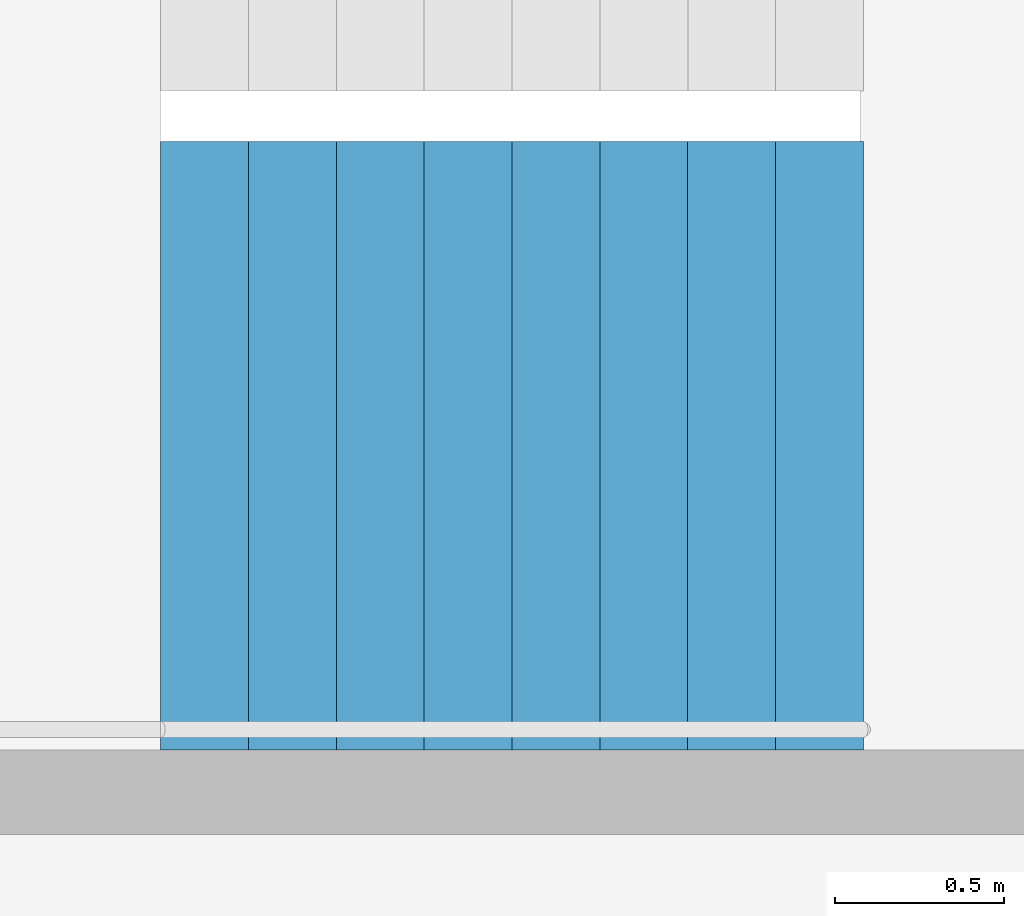
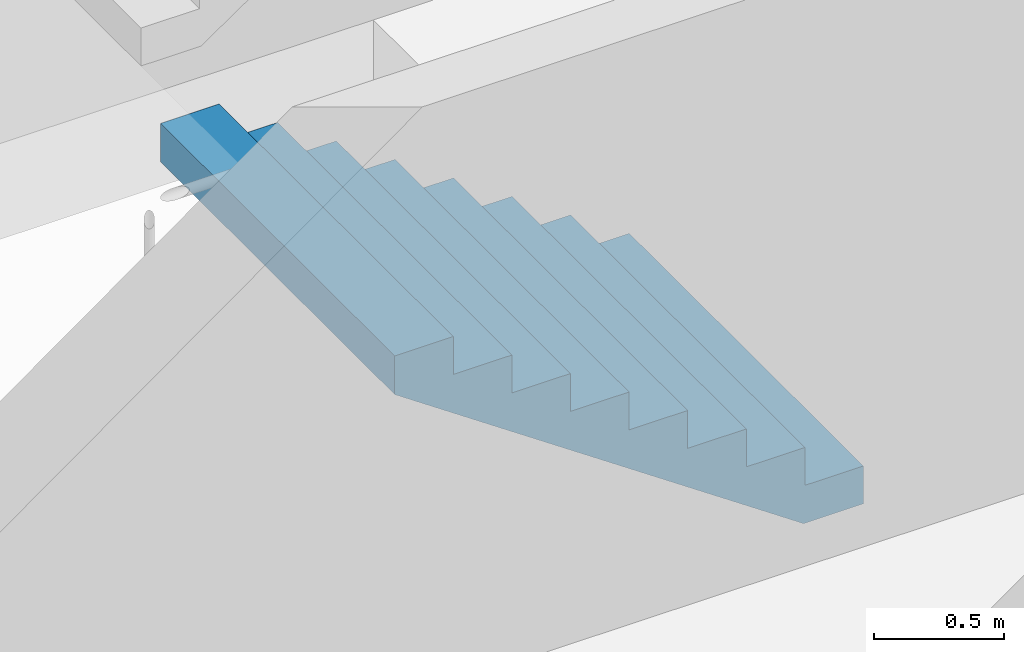
# One storey, part 24 of 26: 1 stair flight, 1 element without a shape of its own.
"""IFC4 building model written with IfcOpenShell, lengths in metres."""

from ifc_helpers import new_model, si_unit, direction, frame, origin, place, context, subcontext, project, spatial, triangles, material, type_object, element, aggregate, save


model = new_model("IFC4")

# Units and contexts
model_context = context("Model", 3, precision=1e-05, world=origin(), true_north=direction((0.0, 1.0)))
body_context = subcontext(model_context, "Body", "Model", "MODEL_VIEW")
ifc_project = project(units=[si_unit("LENGTHUNIT", "METRE"), si_unit("AREAUNIT", "SQUARE_METRE"), si_unit("VOLUMEUNIT", "CUBIC_METRE"), si_unit("PLANEANGLEUNIT", "RADIAN"), si_unit("MASSUNIT", "GRAM", prefix="KILO")], contexts=[model_context])

# Site, building, storey
site_placement = place(None, origin())
site = spatial("IfcSite", under=ifc_project, at=site_placement, CompositionType="ELEMENT")
building_placement = place(site_placement, origin())
building = spatial("IfcBuilding", under=site, at=building_placement, Name="Hakoniwa Tower and Hamabe Station Hall", CompositionType="ELEMENT")
storey_placement = place(building_placement, frame((0.0, 0.0, 196.199951171875)))
storey = spatial("IfcBuildingStorey", under=building, at=storey_placement, Name="L55", CompositionType="ELEMENT", Elevation=196.199951171875)

# Stair, stair flight
ifc_material_1 = material(Name="Concrete C40", Category="concrete")
stair_type = type_object("IfcStairType", Name="ESCAPE STAIR 1800", PredefinedType="HALF_TURN_STAIR", material=ifc_material_1)
stair_placement = place(storey_placement, origin())
stair = element("IfcStair", 1, at=stair_placement, inside=storey, type_object=stair_type, Name="Escape stair ST-3 L55", PredefinedType="HALF_TURN_STAIR")
ifc_material_2 = material(Name="Concrete C40", Category="concrete")
stair_flight_type = type_object("IfcStairFlightType", Name="STAIR FLIGHT 1800", PredefinedType="STRAIGHT", material=ifc_material_2)
stair_flight_placement = place(storey_placement, frame((24.39990234375, 4.64990234375, 0.0), z_axis=(0.0, 0.0, 1.0), x_axis=(-1.0, 0.0, 0.0)))
stair_flight = element("IfcStairFlight", 2, at=stair_flight_placement, type_object=stair_flight_type, Name="ST-3 flight 1", NumberOfRisers=9, NumberOfTreads=8, PredefinedType="STRAIGHT", RiserHeight=0.177777778, TreadLength=0.26, context=body_context, shape_type="Tessellation", body=[
    triangles([(0.0, 0.89990234375, 0.0), (0.260009765625, 0.89990234375, 0.0), (0.265625, 0.89990234375, 0.0), (0.52001953125, 0.89990234375, 0.174072265625), (0.780029296875, 0.89990234375, 0.351806640625), (1.0400390625, 0.89990234375, 0.529541015625), (1.300048828125, 0.89990234375, 0.707275390625), (1.56005859375, 0.89990234375, 0.885009765625), (1.820068359375, 0.89990234375, 1.062744140625), (2.080078125, 0.89990234375, 1.24072265625), (2.080078125, 0.89990234375, 1.422119140625), (1.820068359375, 0.89990234375, 1.422119140625), (1.820068359375, 0.89990234375, 1.244384765625), (1.56005859375, 0.89990234375, 1.244384765625), (1.56005859375, 0.89990234375, 1.066650390625), (1.300048828125, 0.89990234375, 1.066650390625), (1.300048828125, 0.89990234375, 0.888916015625), (1.0400390625, 0.89990234375, 0.888916015625), (1.0400390625, 0.89990234375, 0.711181640625), (0.780029296875, 0.89990234375, 0.711181640625), (0.780029296875, 0.89990234375, 0.533447265625), (0.52001953125, 0.89990234375, 0.533447265625), (0.52001953125, 0.89990234375, 0.35546875), (0.265625, 0.89990234375, 0.35546875), (0.260009765625, 0.89990234375, 0.35546875), (0.260009765625, 0.89990234375, 0.177734375), (0.0, 0.89990234375, 0.177734375), (0.0, 0.06005859375, 0.0), (0.260009765625, 0.06005859375, 0.0), (0.265625, 0.06005859375, 0.0), (0.52001953125, 0.06005859375, 0.174072265625), (0.780029296875, 0.06005859375, 0.351806640625), (1.0400390625, 0.06005859375, 0.529541015625), (1.300048828125, 0.06005859375, 0.707275390625), (1.56005859375, 0.06005859375, 0.885009765625), (1.820068359375, 0.06005859375, 1.062744140625), (2.080078125, 0.06005859375, 1.24072265625), (2.080078125, 0.06005859375, 1.422119140625), (1.820068359375, 0.06005859375, 1.422119140625), (1.820068359375, 0.06005859375, 1.244384765625), (1.56005859375, 0.06005859375, 1.244384765625), (1.56005859375, 0.06005859375, 1.066650390625), (1.300048828125, 0.06005859375, 1.066650390625), (1.300048828125, 0.06005859375, 0.888916015625), (1.0400390625, 0.06005859375, 0.888916015625), (1.0400390625, 0.06005859375, 0.711181640625), (0.780029296875, 0.06005859375, 0.711181640625), (0.780029296875, 0.06005859375, 0.533447265625), (0.52001953125, 0.06005859375, 0.533447265625), (0.52001953125, 0.06005859375, 0.35546875), (0.265625, 0.06005859375, 0.35546875), (0.260009765625, 0.06005859375, 0.35546875), (0.260009765625, 0.06005859375, 0.177734375), (0.0, 0.06005859375, 0.177734375), (0.0, 0.04296875, 0.0), (0.260009765625, 0.04296875, 0.0), (0.265625, 0.04296875, 0.0), (0.52001953125, 0.04296875, 0.174072265625), (0.780029296875, 0.04296875, 0.351806640625), (1.0400390625, 0.04296875, 0.529541015625), (1.300048828125, 0.04296875, 0.707275390625), (1.56005859375, 0.04296875, 0.885009765625), (1.820068359375, 0.04296875, 1.062744140625), (2.080078125, 0.04296875, 1.24072265625), (2.080078125, 0.04296875, 1.422119140625), (1.820068359375, 0.04296875, 1.422119140625), (1.820068359375, 0.04296875, 1.244384765625), (1.56005859375, 0.04296875, 1.244384765625), (1.56005859375, 0.04296875, 1.066650390625), (1.300048828125, 0.04296875, 1.066650390625), (1.300048828125, 0.04296875, 0.888916015625), (1.0400390625, 0.04296875, 0.888916015625), (1.0400390625, 0.04296875, 0.711181640625), (0.780029296875, 0.04296875, 0.711181640625), (0.780029296875, 0.04296875, 0.533447265625), (0.52001953125, 0.04296875, 0.533447265625), (0.52001953125, 0.04296875, 0.35546875), (0.265625, 0.04296875, 0.35546875), (0.260009765625, 0.04296875, 0.35546875), (0.260009765625, 0.04296875, 0.177734375), (0.0, 0.04296875, 0.177734375), (0.0, 0.025634765625, 0.0), (0.260009765625, 0.025634765625, 0.0), (0.265625, 0.025634765625, 0.0), (0.52001953125, 0.025634765625, 0.174072265625), (0.780029296875, 0.025634765625, 0.351806640625), (1.0400390625, 0.025634765625, 0.529541015625), (1.300048828125, 0.025634765625, 0.707275390625), (1.56005859375, 0.025634765625, 0.885009765625), (1.820068359375, 0.025634765625, 1.062744140625), (2.080078125, 0.025634765625, 1.24072265625), (2.080078125, 0.025634765625, 1.422119140625), (1.820068359375, 0.025634765625, 1.422119140625), (1.820068359375, 0.025634765625, 1.244384765625), (1.56005859375, 0.025634765625, 1.244384765625), (1.56005859375, 0.025634765625, 1.066650390625), (1.300048828125, 0.025634765625, 1.066650390625), (1.300048828125, 0.025634765625, 0.888916015625), (1.0400390625, 0.025634765625, 0.888916015625), (1.0400390625, 0.025634765625, 0.711181640625), (0.780029296875, 0.025634765625, 0.711181640625), (0.780029296875, 0.025634765625, 0.533447265625), (0.52001953125, 0.025634765625, 0.533447265625), (0.52001953125, 0.025634765625, 0.35546875), (0.265625, 0.025634765625, 0.35546875), (0.260009765625, 0.025634765625, 0.35546875), (0.260009765625, 0.025634765625, 0.177734375), (0.0, 0.025634765625, 0.177734375), (0.0, 0.008544921875, 0.0), (0.260009765625, 0.008544921875, 0.0), (0.265625, 0.008544921875, 0.0), (0.52001953125, 0.008544921875, 0.174072265625), (0.780029296875, 0.008544921875, 0.351806640625), (1.0400390625, 0.008544921875, 0.529541015625), (1.300048828125, 0.008544921875, 0.707275390625), (1.56005859375, 0.008544921875, 0.885009765625), (1.820068359375, 0.008544921875, 1.062744140625), (2.080078125, 0.008544921875, 1.24072265625), (2.080078125, 0.008544921875, 1.422119140625), (1.820068359375, 0.008544921875, 1.422119140625), (1.820068359375, 0.008544921875, 1.244384765625), (1.56005859375, 0.008544921875, 1.244384765625), (1.56005859375, 0.008544921875, 1.066650390625), (1.300048828125, 0.008544921875, 1.066650390625), (1.300048828125, 0.008544921875, 0.888916015625), (1.0400390625, 0.008544921875, 0.888916015625), (1.0400390625, 0.008544921875, 0.711181640625), (0.780029296875, 0.008544921875, 0.711181640625), (0.780029296875, 0.008544921875, 0.533447265625), (0.52001953125, 0.008544921875, 0.533447265625), (0.52001953125, 0.008544921875, 0.35546875), (0.265625, 0.008544921875, 0.35546875), (0.260009765625, 0.008544921875, 0.35546875), (0.260009765625, 0.008544921875, 0.177734375), (0.0, 0.008544921875, 0.177734375), (0.0, -0.008544921875, 0.0), (0.260009765625, -0.008544921875, 0.0), (0.265625, -0.008544921875, 0.0), (0.52001953125, -0.008544921875, 0.174072265625), (0.780029296875, -0.008544921875, 0.351806640625), (1.0400390625, -0.008544921875, 0.529541015625), (1.300048828125, -0.008544921875, 0.707275390625), (1.56005859375, -0.008544921875, 0.885009765625), (1.820068359375, -0.008544921875, 1.062744140625), (2.080078125, -0.008544921875, 1.24072265625), (2.080078125, -0.008544921875, 1.422119140625), (1.820068359375, -0.008544921875, 1.422119140625), (1.820068359375, -0.008544921875, 1.244384765625), (1.56005859375, -0.008544921875, 1.244384765625), (1.56005859375, -0.008544921875, 1.066650390625), (1.300048828125, -0.008544921875, 1.066650390625), (1.300048828125, -0.008544921875, 0.888916015625), (1.0400390625, -0.008544921875, 0.888916015625), (1.0400390625, -0.008544921875, 0.711181640625), (0.780029296875, -0.008544921875, 0.711181640625), (0.780029296875, -0.008544921875, 0.533447265625), (0.52001953125, -0.008544921875, 0.533447265625), (0.52001953125, -0.008544921875, 0.35546875), (0.265625, -0.008544921875, 0.35546875), (0.260009765625, -0.008544921875, 0.35546875), (0.260009765625, -0.008544921875, 0.177734375), (0.0, -0.008544921875, 0.177734375), (0.0, -0.025634765625, 0.0), (0.260009765625, -0.025634765625, 0.0), (0.265625, -0.025634765625, 0.0), (0.52001953125, -0.025634765625, 0.174072265625), (0.780029296875, -0.025634765625, 0.351806640625), (1.0400390625, -0.025634765625, 0.529541015625), (1.300048828125, -0.025634765625, 0.707275390625), (1.56005859375, -0.025634765625, 0.885009765625), (1.820068359375, -0.025634765625, 1.062744140625), (2.080078125, -0.025634765625, 1.24072265625), (2.080078125, -0.025634765625, 1.422119140625), (1.820068359375, -0.025634765625, 1.422119140625), (1.820068359375, -0.025634765625, 1.244384765625), (1.56005859375, -0.025634765625, 1.244384765625), (1.56005859375, -0.025634765625, 1.066650390625), (1.300048828125, -0.025634765625, 1.066650390625), (1.300048828125, -0.025634765625, 0.888916015625), (1.0400390625, -0.025634765625, 0.888916015625), (1.0400390625, -0.025634765625, 0.711181640625), (0.780029296875, -0.025634765625, 0.711181640625), (0.780029296875, -0.025634765625, 0.533447265625), (0.52001953125, -0.025634765625, 0.533447265625), (0.52001953125, -0.025634765625, 0.35546875), (0.265625, -0.025634765625, 0.35546875), (0.260009765625, -0.025634765625, 0.35546875), (0.260009765625, -0.025634765625, 0.177734375), (0.0, -0.025634765625, 0.177734375), (0.0, -0.04296875, 0.0), (0.260009765625, -0.04296875, 0.0), (0.265625, -0.04296875, 0.0), (0.52001953125, -0.04296875, 0.174072265625), (0.780029296875, -0.04296875, 0.351806640625), (1.0400390625, -0.04296875, 0.529541015625), (1.300048828125, -0.04296875, 0.707275390625), (1.56005859375, -0.04296875, 0.885009765625), (1.820068359375, -0.04296875, 1.062744140625), (2.080078125, -0.04296875, 1.24072265625), (2.080078125, -0.04296875, 1.422119140625), (1.820068359375, -0.04296875, 1.422119140625), (1.820068359375, -0.04296875, 1.244384765625), (1.56005859375, -0.04296875, 1.244384765625), (1.56005859375, -0.04296875, 1.066650390625), (1.300048828125, -0.04296875, 1.066650390625), (1.300048828125, -0.04296875, 0.888916015625), (1.0400390625, -0.04296875, 0.888916015625), (1.0400390625, -0.04296875, 0.711181640625), (0.780029296875, -0.04296875, 0.711181640625), (0.780029296875, -0.04296875, 0.533447265625), (0.52001953125, -0.04296875, 0.533447265625), (0.52001953125, -0.04296875, 0.35546875), (0.265625, -0.04296875, 0.35546875), (0.260009765625, -0.04296875, 0.35546875), (0.260009765625, -0.04296875, 0.177734375), (0.0, -0.04296875, 0.177734375), (0.0, -0.06005859375, 0.0), (0.260009765625, -0.06005859375, 0.0), (0.265625, -0.06005859375, 0.0), (0.52001953125, -0.06005859375, 0.174072265625), (0.780029296875, -0.06005859375, 0.351806640625), (1.0400390625, -0.06005859375, 0.529541015625), (1.300048828125, -0.06005859375, 0.707275390625), (1.56005859375, -0.06005859375, 0.885009765625), (1.820068359375, -0.06005859375, 1.062744140625), (2.080078125, -0.06005859375, 1.24072265625), (2.080078125, -0.06005859375, 1.422119140625), (1.820068359375, -0.06005859375, 1.422119140625), (1.820068359375, -0.06005859375, 1.244384765625), (1.56005859375, -0.06005859375, 1.244384765625), (1.56005859375, -0.06005859375, 1.066650390625), (1.300048828125, -0.06005859375, 1.066650390625), (1.300048828125, -0.06005859375, 0.888916015625), (1.0400390625, -0.06005859375, 0.888916015625), (1.0400390625, -0.06005859375, 0.711181640625), (0.780029296875, -0.06005859375, 0.711181640625), (0.780029296875, -0.06005859375, 0.533447265625), (0.52001953125, -0.06005859375, 0.533447265625), (0.52001953125, -0.06005859375, 0.35546875), (0.265625, -0.06005859375, 0.35546875), (0.260009765625, -0.06005859375, 0.35546875), (0.260009765625, -0.06005859375, 0.177734375), (0.0, -0.06005859375, 0.177734375), (0.0, -0.89990234375, 0.0), (0.260009765625, -0.89990234375, 0.0), (0.265625, -0.89990234375, 0.0), (0.52001953125, -0.89990234375, 0.174072265625), (0.780029296875, -0.89990234375, 0.351806640625), (1.0400390625, -0.89990234375, 0.529541015625), (1.300048828125, -0.89990234375, 0.707275390625), (1.56005859375, -0.89990234375, 0.885009765625), (1.820068359375, -0.89990234375, 1.062744140625), (2.080078125, -0.89990234375, 1.24072265625), (2.080078125, -0.89990234375, 1.422119140625), (1.820068359375, -0.89990234375, 1.422119140625), (1.820068359375, -0.89990234375, 1.244384765625), (1.56005859375, -0.89990234375, 1.244384765625), (1.56005859375, -0.89990234375, 1.066650390625), (1.300048828125, -0.89990234375, 1.066650390625), (1.300048828125, -0.89990234375, 0.888916015625), (1.0400390625, -0.89990234375, 0.888916015625), (1.0400390625, -0.89990234375, 0.711181640625), (0.780029296875, -0.89990234375, 0.711181640625), (0.780029296875, -0.89990234375, 0.533447265625), (0.52001953125, -0.89990234375, 0.533447265625), (0.52001953125, -0.89990234375, 0.35546875), (0.265625, -0.89990234375, 0.35546875), (0.260009765625, -0.89990234375, 0.35546875), (0.260009765625, -0.89990234375, 0.177734375), (0.0, -0.89990234375, 0.177734375)], [[2, 27, 26], [245, 269, 270], [2, 1, 27], [245, 270, 244], [3, 25, 24], [246, 267, 268], [3, 26, 25], [246, 268, 269], [3, 2, 26], [246, 269, 245], [4, 24, 23], [247, 266, 267], [4, 3, 24], [247, 267, 246], [5, 22, 21], [248, 264, 265], [5, 23, 22], [248, 265, 266], [5, 4, 23], [248, 266, 247], [6, 20, 19], [249, 262, 263], [6, 21, 20], [249, 263, 264], [6, 5, 21], [249, 264, 248], [7, 18, 17], [250, 260, 261], [7, 19, 18], [250, 261, 262], [7, 6, 19], [250, 262, 249], [8, 16, 15], [251, 258, 259], [8, 17, 16], [251, 259, 260], [8, 7, 17], [251, 260, 250], [9, 14, 13], [252, 256, 257], [9, 15, 14], [252, 257, 258], [9, 8, 15], [252, 258, 251], [10, 12, 11], [253, 254, 255], [10, 13, 12], [253, 255, 256], [10, 9, 13], [253, 256, 252], [1, 2, 29], [1, 29, 28], [28, 29, 56], [28, 56, 55], [55, 56, 83], [55, 83, 82], [82, 83, 110], [82, 110, 109], [109, 110, 137], [109, 137, 136], [136, 137, 164], [136, 164, 163], [163, 164, 191], [163, 191, 190], [190, 191, 218], [190, 218, 217], [217, 218, 245], [217, 245, 244], [2, 3, 30], [2, 30, 29], [29, 30, 57], [29, 57, 56], [56, 57, 84], [56, 84, 83], [83, 84, 111], [83, 111, 110], [110, 111, 138], [110, 138, 137], [137, 138, 165], [137, 165, 164], [164, 165, 192], [164, 192, 191], [191, 192, 219], [191, 219, 218], [218, 219, 246], [218, 246, 245], [3, 4, 31], [3, 31, 30], [30, 31, 58], [30, 58, 57], [57, 58, 85], [57, 85, 84], [84, 85, 112], [84, 112, 111], [111, 112, 139], [111, 139, 138], [138, 139, 166], [138, 166, 165], [165, 166, 193], [165, 193, 192], [192, 193, 220], [192, 220, 219], [219, 220, 247], [219, 247, 246], [4, 5, 32], [4, 32, 31], [31, 32, 59], [31, 59, 58], [58, 59, 86], [58, 86, 85], [85, 86, 113], [85, 113, 112], [112, 113, 140], [112, 140, 139], [139, 140, 167], [139, 167, 166], [166, 167, 194], [166, 194, 193], [193, 194, 221], [193, 221, 220], [220, 221, 248], [220, 248, 247], [5, 6, 33], [5, 33, 32], [32, 33, 60], [32, 60, 59], [59, 60, 87], [59, 87, 86], [86, 87, 114], [86, 114, 113], [113, 114, 141], [113, 141, 140], [140, 141, 168], [140, 168, 167], [167, 168, 195], [167, 195, 194], [194, 195, 222], [194, 222, 221], [221, 222, 249], [221, 249, 248], [6, 7, 34], [6, 34, 33], [33, 34, 61], [33, 61, 60], [60, 61, 88], [60, 88, 87], [87, 88, 115], [87, 115, 114], [114, 115, 142], [114, 142, 141], [141, 142, 169], [141, 169, 168], [168, 169, 196], [168, 196, 195], [195, 196, 223], [195, 223, 222], [222, 223, 250], [222, 250, 249], [7, 8, 35], [7, 35, 34], [34, 35, 62], [34, 62, 61], [61, 62, 89], [61, 89, 88], [88, 89, 116], [88, 116, 115], [115, 116, 143], [115, 143, 142], [142, 143, 170], [142, 170, 169], [169, 170, 197], [169, 197, 196], [196, 197, 224], [196, 224, 223], [223, 224, 251], [223, 251, 250], [8, 9, 36], [8, 36, 35], [35, 36, 63], [35, 63, 62], [62, 63, 90], [62, 90, 89], [89, 90, 117], [89, 117, 116], [116, 117, 144], [116, 144, 143], [143, 144, 171], [143, 171, 170], [170, 171, 198], [170, 198, 197], [197, 198, 225], [197, 225, 224], [224, 225, 252], [224, 252, 251], [9, 10, 37], [9, 37, 36], [36, 37, 64], [36, 64, 63], [63, 64, 91], [63, 91, 90], [90, 91, 118], [90, 118, 117], [117, 118, 145], [117, 145, 144], [144, 145, 172], [144, 172, 171], [171, 172, 199], [171, 199, 198], [198, 199, 226], [198, 226, 225], [225, 226, 253], [225, 253, 252], [10, 11, 38], [10, 38, 37], [37, 38, 65], [37, 65, 64], [64, 65, 92], [64, 92, 91], [91, 92, 119], [91, 119, 118], [118, 119, 146], [118, 146, 145], [145, 146, 173], [145, 173, 172], [172, 173, 200], [172, 200, 199], [199, 200, 227], [199, 227, 226], [226, 227, 254], [226, 254, 253], [11, 12, 39], [11, 39, 38], [38, 39, 66], [38, 66, 65], [65, 66, 93], [65, 93, 92], [92, 93, 120], [92, 120, 119], [119, 120, 147], [119, 147, 146], [146, 147, 174], [146, 174, 173], [173, 174, 201], [173, 201, 200], [200, 201, 228], [200, 228, 227], [227, 228, 255], [227, 255, 254], [12, 13, 40], [12, 40, 39], [39, 40, 67], [39, 67, 66], [66, 67, 94], [66, 94, 93], [93, 94, 121], [93, 121, 120], [120, 121, 148], [120, 148, 147], [147, 148, 175], [147, 175, 174], [174, 175, 202], [174, 202, 201], [201, 202, 229], [201, 229, 228], [228, 229, 256], [228, 256, 255], [13, 14, 41], [13, 41, 40], [40, 41, 68], [40, 68, 67], [67, 68, 95], [67, 95, 94], [94, 95, 122], [94, 122, 121], [121, 122, 149], [121, 149, 148], [148, 149, 176], [148, 176, 175], [175, 176, 203], [175, 203, 202], [202, 203, 230], [202, 230, 229], [229, 230, 257], [229, 257, 256], [14, 15, 42], [14, 42, 41], [41, 42, 69], [41, 69, 68], [68, 69, 96], [68, 96, 95], [95, 96, 123], [95, 123, 122], [122, 123, 150], [122, 150, 149], [149, 150, 177], [149, 177, 176], [176, 177, 204], [176, 204, 203], [203, 204, 231], [203, 231, 230], [230, 231, 258], [230, 258, 257], [15, 16, 43], [15, 43, 42], [42, 43, 70], [42, 70, 69], [69, 70, 97], [69, 97, 96], [96, 97, 124], [96, 124, 123], [123, 124, 151], [123, 151, 150], [150, 151, 178], [150, 178, 177], [177, 178, 205], [177, 205, 204], [204, 205, 232], [204, 232, 231], [231, 232, 259], [231, 259, 258], [16, 17, 44], [16, 44, 43], [43, 44, 71], [43, 71, 70], [70, 71, 98], [70, 98, 97], [97, 98, 125], [97, 125, 124], [124, 125, 152], [124, 152, 151], [151, 152, 179], [151, 179, 178], [178, 179, 206], [178, 206, 205], [205, 206, 233], [205, 233, 232], [232, 233, 260], [232, 260, 259], [17, 18, 45], [17, 45, 44], [44, 45, 72], [44, 72, 71], [71, 72, 99], [71, 99, 98], [98, 99, 126], [98, 126, 125], [125, 126, 153], [125, 153, 152], [152, 153, 180], [152, 180, 179], [179, 180, 207], [179, 207, 206], [206, 207, 234], [206, 234, 233], [233, 234, 261], [233, 261, 260], [18, 19, 46], [18, 46, 45], [45, 46, 73], [45, 73, 72], [72, 73, 100], [72, 100, 99], [99, 100, 127], [99, 127, 126], [126, 127, 154], [126, 154, 153], [153, 154, 181], [153, 181, 180], [180, 181, 208], [180, 208, 207], [207, 208, 235], [207, 235, 234], [234, 235, 262], [234, 262, 261], [19, 20, 47], [19, 47, 46], [46, 47, 74], [46, 74, 73], [73, 74, 101], [73, 101, 100], [100, 101, 128], [100, 128, 127], [127, 128, 155], [127, 155, 154], [154, 155, 182], [154, 182, 181], [181, 182, 209], [181, 209, 208], [208, 209, 236], [208, 236, 235], [235, 236, 263], [235, 263, 262], [20, 21, 48], [20, 48, 47], [47, 48, 75], [47, 75, 74], [74, 75, 102], [74, 102, 101], [101, 102, 129], [101, 129, 128], [128, 129, 156], [128, 156, 155], [155, 156, 183], [155, 183, 182], [182, 183, 210], [182, 210, 209], [209, 210, 237], [209, 237, 236], [236, 237, 264], [236, 264, 263], [21, 22, 49], [21, 49, 48], [48, 49, 76], [48, 76, 75], [75, 76, 103], [75, 103, 102], [102, 103, 130], [102, 130, 129], [129, 130, 157], [129, 157, 156], [156, 157, 184], [156, 184, 183], [183, 184, 211], [183, 211, 210], [210, 211, 238], [210, 238, 237], [237, 238, 265], [237, 265, 264], [22, 23, 50], [22, 50, 49], [49, 50, 77], [49, 77, 76], [76, 77, 104], [76, 104, 103], [103, 104, 131], [103, 131, 130], [130, 131, 158], [130, 158, 157], [157, 158, 185], [157, 185, 184], [184, 185, 212], [184, 212, 211], [211, 212, 239], [211, 239, 238], [238, 239, 266], [238, 266, 265], [23, 24, 51], [23, 51, 50], [50, 51, 78], [50, 78, 77], [77, 78, 105], [77, 105, 104], [104, 105, 132], [104, 132, 131], [131, 132, 159], [131, 159, 158], [158, 159, 186], [158, 186, 185], [185, 186, 213], [185, 213, 212], [212, 213, 240], [212, 240, 239], [239, 240, 267], [239, 267, 266], [24, 25, 52], [24, 52, 51], [51, 52, 79], [51, 79, 78], [78, 79, 106], [78, 106, 105], [105, 106, 133], [105, 133, 132], [132, 133, 160], [132, 160, 159], [159, 160, 187], [159, 187, 186], [186, 187, 214], [186, 214, 213], [213, 214, 241], [213, 241, 240], [240, 241, 268], [240, 268, 267], [25, 26, 53], [25, 53, 52], [52, 53, 80], [52, 80, 79], [79, 80, 107], [79, 107, 106], [106, 107, 134], [106, 134, 133], [133, 134, 161], [133, 161, 160], [160, 161, 188], [160, 188, 187], [187, 188, 215], [187, 215, 214], [214, 215, 242], [214, 242, 241], [241, 242, 269], [241, 269, 268], [26, 27, 54], [26, 54, 53], [53, 54, 81], [53, 81, 80], [80, 81, 108], [80, 108, 107], [107, 108, 135], [107, 135, 134], [134, 135, 162], [134, 162, 161], [161, 162, 189], [161, 189, 188], [188, 189, 216], [188, 216, 215], [215, 216, 243], [215, 243, 242], [242, 243, 270], [242, 270, 269], [27, 1, 28], [27, 28, 54], [54, 28, 55], [54, 55, 81], [81, 55, 82], [81, 82, 108], [108, 82, 109], [108, 109, 135], [135, 109, 136], [135, 136, 162], [162, 136, 163], [162, 163, 189], [189, 163, 190], [189, 190, 216], [216, 190, 217], [216, 217, 243], [243, 217, 244], [243, 244, 270]], closed=True),
])
aggregate(stair, [stair_flight])

save(model, "model.ifc")
